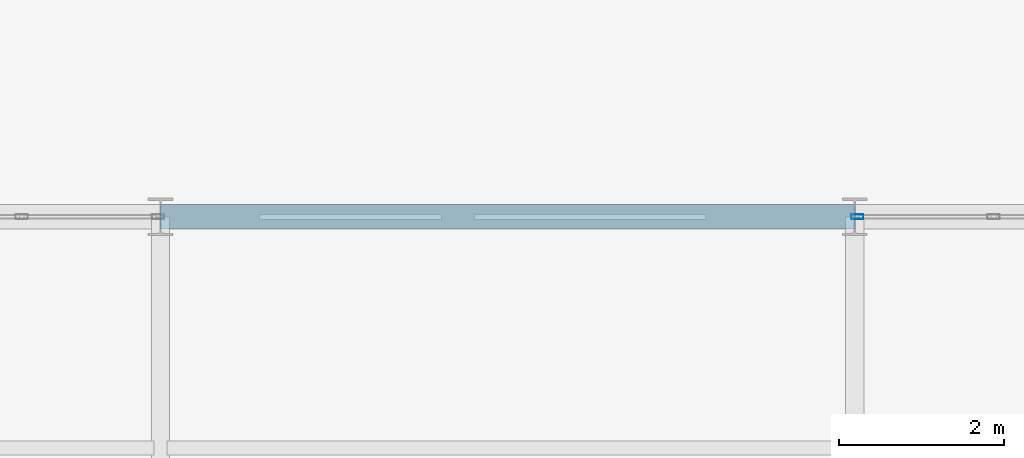
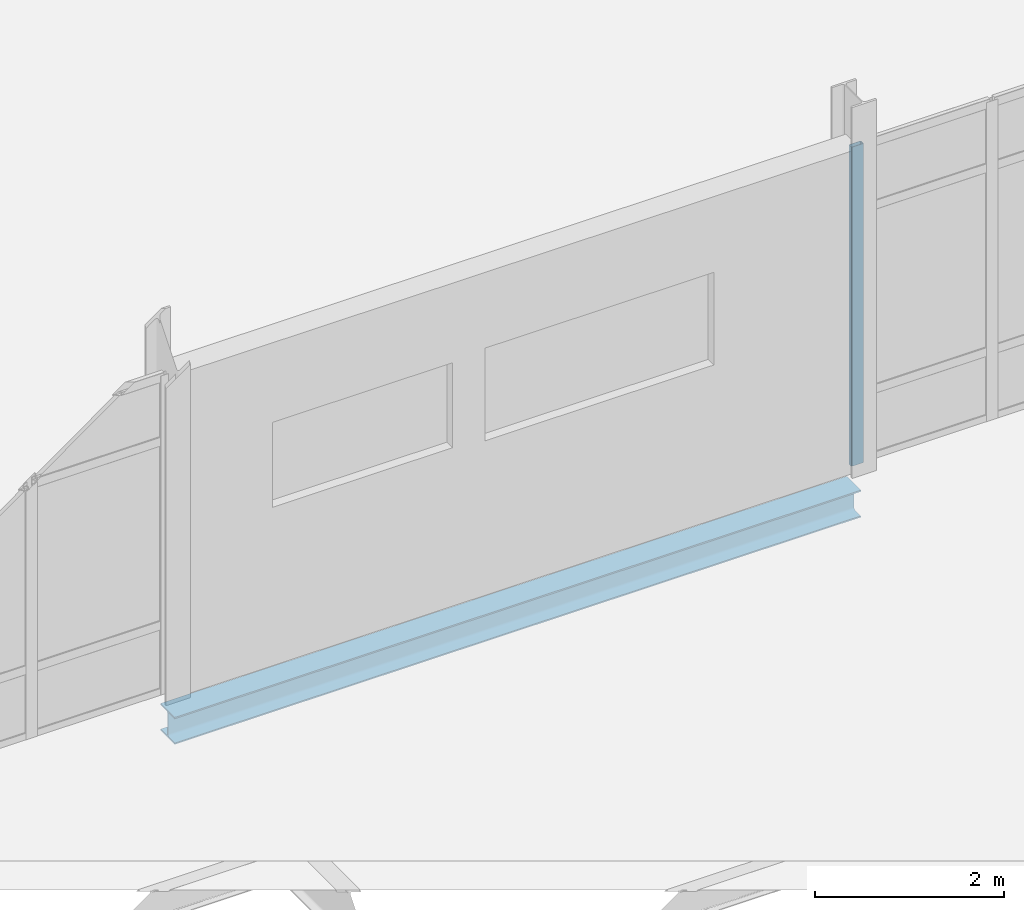
# One storey, part 102 of 145: 1 beam, 1 member, 1 element without a shape of its own.
"""IFC4 building model written with IfcOpenShell, lengths in metres."""

from ifc_helpers import new_model, si_unit, direction, frame, origin, origin_2d, place, context, subcontext, project, spatial, hollow_rectangle, i_section, extrude, material, layer, layer_set, material_profile, profile_set, type_object, element, aggregate, save


model = new_model("IFC4")

# Units and contexts
model_context = context("Model", 3, precision=1e-05, world=origin(), true_north=direction((0.0, 1.0)))
body_context = subcontext(model_context, "Body", "Model", "MODEL_VIEW")
ifc_project = project(units=[si_unit("LENGTHUNIT", "METRE"), si_unit("AREAUNIT", "SQUARE_METRE"), si_unit("VOLUMEUNIT", "CUBIC_METRE"), si_unit("PLANEANGLEUNIT", "RADIAN"), si_unit("MASSUNIT", "GRAM", prefix="KILO")], contexts=[model_context])

# Site, building, storey
site_placement = place(None, origin())
site = spatial("IfcSite", under=ifc_project, at=site_placement, CompositionType="ELEMENT")
building_placement = place(site_placement, origin())
building = spatial("IfcBuilding", under=site, at=building_placement, Name="Qalvenar Corner Mobility Hub", CompositionType="ELEMENT")
storey_placement = place(building_placement, origin())
storey = spatial("IfcBuildingStorey", under=building, at=storey_placement, Name="L00", CompositionType="ELEMENT", Elevation=0.0)

# Beam
ifc_material_1 = material(Name="Steel S355", Category="steel")
ifc_material_profile_1 = material_profile(ifc_material_1, i_section(OverallWidth=0.300048828125, OverallDepth=0.35009765625, WebThickness=0.010009765625, FlangeThickness=0.017578125, FilletRadius=0.027099609375, at=origin_2d()), Name="HEA360")
ifc_profile_set_1 = profile_set([ifc_material_profile_1], Name="Steel S355")
beam_type = type_object("IfcBeamType", Name="BM-SPN360", PredefinedType="SPANDREL", material=ifc_profile_set_1)
beam_placement = place(storey_placement, frame((151.199951171875, 50.39990234375, -0.425048828125), z_axis=(1.0, 0.0, 0.0), x_axis=(0.0, 1.0, 0.0)))
element("IfcBeam", 1, at=beam_placement, inside=storey, type_object=beam_type, Name="Primary Steel Girder GX-0295", PredefinedType="SPANDREL", context=body_context, shape_type="SweptSolid", body=[
    extrude(i_section(OverallWidth=0.300048828125, OverallDepth=0.35009765625, WebThickness=0.010009765625, FlangeThickness=0.017578125, FilletRadius=0.027099609375, at=origin_2d()), origin(), (0.0, 0.0, 1.0), 8.400146484375),
])

# Curtain wall, member
ifc_material_2 = material(Name="Anodised Aluminium and Low-E Glazing", Category="aluminium")
ifc_layer = layer(ifc_material_2, 0.14990234375)
ifc_layer_set = layer_set([ifc_layer], Name="Anodised Aluminium and Low-E Glazing")
curtain_wall_type = type_object("IfcCurtainWallType", Name="CW-WKS-84X44", PredefinedType="NOTDEFINED", material=ifc_layer_set)
curtain_wall_placement = place(storey_placement, origin())
curtain_wall = element("IfcCurtainWall", 2, at=curtain_wall_placement, inside=storey, type_object=curtain_wall_type, Name="Glazed Curtain Wall CW-V6-L00-N6", PredefinedType="NOTDEFINED")
ifc_material_3 = material(Name="Anodised Aluminium 6063-T6", Category="aluminium")
ifc_material_profile_2 = material_profile(ifc_material_3, hollow_rectangle(XDim=0.06005859375, YDim=0.14990234375, WallThickness=0.00390625, InnerFilletRadius=0.00390625, OuterFilletRadius=0.008056640625, at=origin_2d()), Name="RHS150x60x4")
ifc_profile_set_2 = profile_set([ifc_material_profile_2], Name="Anodised Aluminium 6063-T6")
member_type = type_object("IfcMemberType", Name="CW-MUL150", PredefinedType="MULLION", material=ifc_profile_set_2)
member_placement = place(storey_placement, frame((159.6298828125, 50.39990234375, 0.0), z_axis=(0.0, 0.0, 1.0), x_axis=(0.0, -1.0, 0.0)))
member = element("IfcMember", 3, at=member_placement, type_object=member_type, Name="CW-09 mullion 6", PredefinedType="MULLION", context=body_context, shape_type="SweptSolid", body=[
    extrude(hollow_rectangle(XDim=0.06005859375, YDim=0.14990234375, WallThickness=0.00390625, InnerFilletRadius=0.00390625, OuterFilletRadius=0.008056640625, at=origin_2d()), origin(), (0.0, 0.0, 1.0), 4.1298828125),
])
aggregate(curtain_wall, [member])

save(model, "model.ifc")
